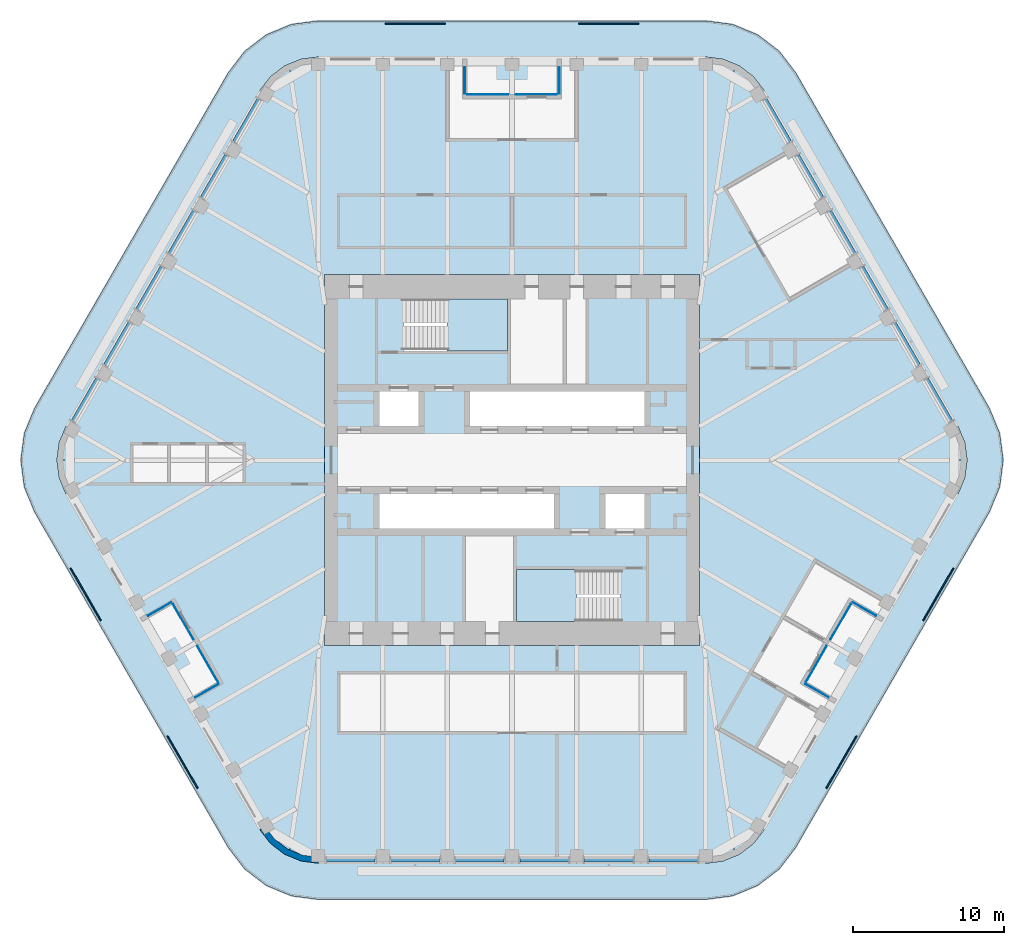
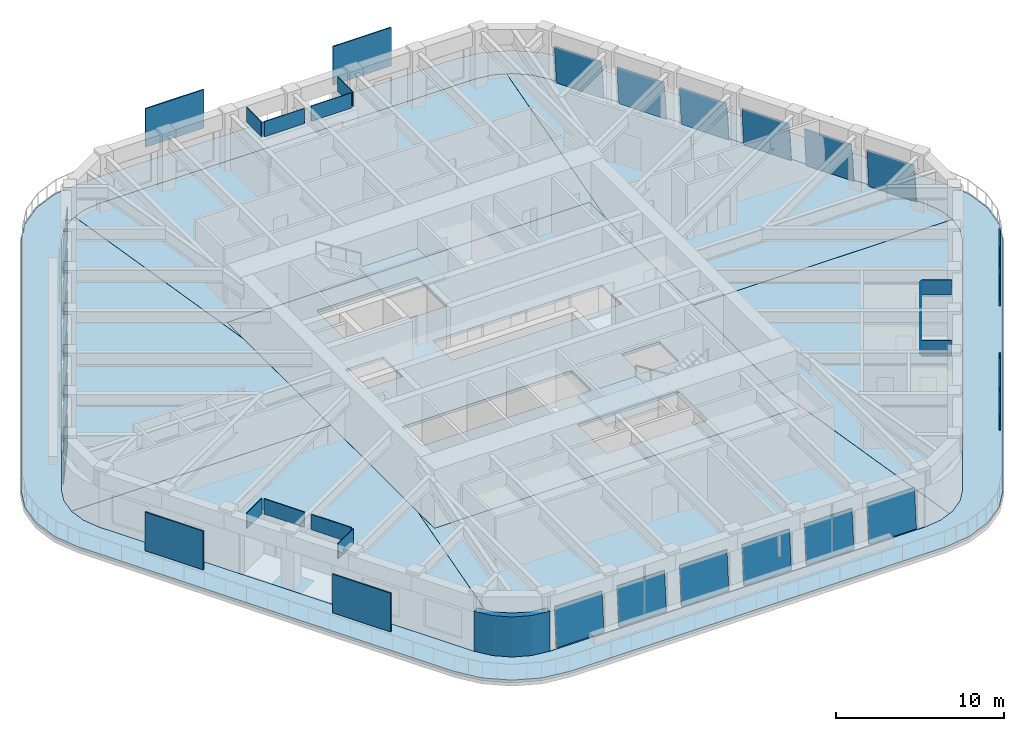
# One storey, part 12 of 19: 36 plates, 10 slabs, 1 wall, 20 elements without a shape of their own.
"""IFC4 building model written with IfcOpenShell, lengths in metres."""

from ifc_helpers import new_model, si_unit, direction, frame, origin, origin_2d, place, context, subcontext, project, spatial, polyline, rectangle, outline, extrude, material, layer, layer_set, type_object, element, aggregate, save


model = new_model("IFC4")

# Units and contexts
model_context = context("Model", 3, precision=1e-05, world=origin(), true_north=direction((0.0, 1.0)))
body_context = subcontext(model_context, "Body", "Model", "MODEL_VIEW")
ifc_project = project(units=[si_unit("LENGTHUNIT", "METRE"), si_unit("AREAUNIT", "SQUARE_METRE"), si_unit("VOLUMEUNIT", "CUBIC_METRE"), si_unit("PLANEANGLEUNIT", "RADIAN"), si_unit("MASSUNIT", "GRAM", prefix="KILO")], contexts=[model_context])

# Site, building, storey
site_placement = place(None, origin())
site = spatial("IfcSite", under=ifc_project, at=site_placement, CompositionType="ELEMENT")
building_placement = place(site_placement, origin())
building = spatial("IfcBuilding", under=site, at=building_placement, Name="Tarfa Lantern Tower", CompositionType="ELEMENT")
storey_placement = place(building_placement, frame((0.0, 0.0, 361.89990234375)))
storey = spatial("IfcBuildingStorey", under=building, at=storey_placement, Name="L82", CompositionType="ELEMENT", Elevation=361.89990234375)

# Slab
ifc_material_1 = material(Name="Concrete C40/50", Category="concrete")
ifc_layer_1 = layer(ifc_material_1, 0.199951171875)
ifc_layer_set_1 = layer_set([ifc_layer_1], Name="BS2 BALCONY SLAB 200")
slab_type_1 = type_object("IfcSlabType", Name="BS2 BALCONY SLAB 200", PredefinedType="FLOOR", material=ifc_layer_set_1)
slab_1_placement = place(storey_placement, frame((0.0, 0.0, -0.199951171875)))
element("IfcSlab", 1, at=slab_1_placement, inside=storey, type_object=slab_type_1, Name="Balcony L82", PredefinedType="FLOOR", context=body_context, shape_type="SweptSolid", body=[
    extrude(outline(polyline([(31.667724609375, 3.449951171875), (18.821533203125, 25.699951171875), (17.72509765625, 27.129150390625), (16.296142578125, 28.2255859375), (14.6318359375, 28.914794921875), (12.845947265625, 29.14990234375), (-12.845947265625, 29.14990234375), (-14.6318359375, 28.914794921875), (-16.296142578125, 28.2255859375), (-17.72509765625, 27.129150390625), (-18.821533203125, 25.699951171875), (-31.667724609375, 3.449951171875), (-32.35693359375, 1.785888671875), (-32.592041015625, 0.0), (-32.35693359375, -1.785888671875), (-31.667724609375, -3.449951171875), (-18.821533203125, -25.699951171875), (-17.72509765625, -27.129150390625), (-16.296142578125, -28.2255859375), (-14.6318359375, -28.914794921875), (-12.845947265625, -29.14990234375), (12.845947265625, -29.14990234375), (14.6318359375, -28.914794921875), (16.296142578125, -28.2255859375), (17.72509765625, -27.129150390625), (18.821533203125, -25.699951171875), (31.667724609375, -3.449951171875), (32.35693359375, -1.785888671875), (32.592041015625, 0.0), (32.35693359375, 1.785888671875), (31.667724609375, 3.449951171875)]), holes=[polyline([(29.589111328125, 2.25), (16.7431640625, 24.5), (16.028076171875, 25.431884765625), (15.095947265625, 26.147216796875), (14.0107421875, 26.5966796875), (12.845947265625, 26.75), (-12.845947265625, 26.75), (-14.0107421875, 26.5966796875), (-15.095947265625, 26.147216796875), (-16.028076171875, 25.431884765625), (-16.7431640625, 24.5), (-29.589111328125, 2.25), (-30.038818359375, 1.164794921875), (-30.192138671875, 0.0), (-30.038818359375, -1.164794921875), (-29.589111328125, -2.25), (-16.7431640625, -24.5), (-16.028076171875, -25.431884765625), (-15.095947265625, -26.147216796875), (-14.0107421875, -26.5966796875), (-12.845947265625, -26.75), (12.845947265625, -26.75), (14.0107421875, -26.5966796875), (15.095947265625, -26.147216796875), (16.028076171875, -25.431884765625), (16.7431640625, -24.5), (29.589111328125, -2.25), (30.038818359375, -1.164794921875), (30.192138671875, 0.0), (30.038818359375, 1.164794921875), (29.589111328125, 2.25)])]), origin(), (0.0, 0.0, 1.0), 0.199951171875),
])

# Curtain wall, plate
ifc_material_2 = material(Name="Aluminium framed curtain wall", Category="aluminium")
curtain_wall_type = type_object("IfcCurtainWallType", Name="CW4 CANTED GLAZING EXECUTIVE ZONE 2900", PredefinedType="USERDEFINED", material=ifc_material_2)
curtain_wall_1_placement = place(storey_placement, origin())
curtain_wall_1 = element("IfcCurtainWall", 2, at=curtain_wall_1_placement, inside=storey, type_object=curtain_wall_type, Name="CW4 NE L82", ObjectType="CURTAIN WALL", PredefinedType="USERDEFINED")
ifc_material_3 = material(Name="Laminated double glazing", Category="glass")
ifc_layer_2 = layer(ifc_material_3, 0.028076171875)
ifc_layer_set_2 = layer_set([ifc_layer_2], Name="CWP1 DOUBLE GLAZED PANEL")
plate_type_1 = type_object("IfcPlateType", Name="CWP1 DOUBLE GLAZED PANEL", PredefinedType="CURTAIN_PANEL", material=ifc_layer_set_2)
plate_1_placement = place(storey_placement, frame((29.2451171875, 2.64599609375, 0.0), z_axis=(0.862826187665, 0.498151134311, 0.085886071422), x_axis=(-0.499998527055, 0.866026254186, -1.605959e-06)))
plate_1 = element("IfcPlate", 3, at=plate_1_placement, type_object=plate_type_1, Name="CW4 panel 1.1", PredefinedType="CURTAIN_PANEL", context=body_context, shape_type="SweptSolid", body=[
    extrude(outline(polyline([(0.0, 0.0), (3.25206764123082, 1.3877787807814457e-17), (3.251970209495447, 2.8457253562325535), (0.00011400045559064538, 2.8457148724621573), (0.0, 0.0)])), origin(), (0.0, 0.0, -1.0), 0.028076171875),
])
aggregate(curtain_wall_1, [plate_1])

curtain_wall_2_placement = place(storey_placement, origin())
curtain_wall_2 = element("IfcCurtainWall", 4, at=curtain_wall_2_placement, inside=storey, type_object=curtain_wall_type, Name="CW4 NE L82", ObjectType="CURTAIN WALL", PredefinedType="USERDEFINED")
plate_2_placement = place(storey_placement, frame((27.10400390625, 6.354248046875, 0.0), z_axis=(0.862837126006, 0.498135858114, 0.085864782339), x_axis=(-0.499982393232, 0.866035568818, 0.0)))
plate_2 = element("IfcPlate", 5, at=plate_2_placement, type_object=plate_type_1, Name="CW4 panel 1.1", PredefinedType="CURTAIN_PANEL", context=body_context, shape_type="SweptSolid", body=[
    extrude(outline(polyline([(0.0, 0.0), (3.252067641799349, 0.0), (3.2521816433919786, 2.845714873111824), (0.00011400159262917042, 2.845714873111824), (0.0, 0.0)])), origin(), (0.0, 0.0, -1.0), 0.028076171875),
])
aggregate(curtain_wall_2, [plate_2])

curtain_wall_3_placement = place(storey_placement, origin())
curtain_wall_3 = element("IfcCurtainWall", 6, at=curtain_wall_3_placement, inside=storey, type_object=curtain_wall_type, Name="CW4 NE L82", ObjectType="CURTAIN WALL", PredefinedType="USERDEFINED")
plate_3_placement = place(storey_placement, frame((24.963134765625, 10.062744140625, 0.0), z_axis=(0.862826187665, 0.498151134311, 0.085886071422), x_axis=(-0.49999876685, 0.866026115741, 1.606063e-06)))
plate_3 = element("IfcPlate", 7, at=plate_3_placement, type_object=plate_type_1, Name="CW4 panel 1.1", PredefinedType="CURTAIN_PANEL", context=body_context, shape_type="SweptSolid", body=[
    extrude(outline(polyline([(0.0, 0.0), (3.251856209056756, 0.0), (3.251979383909803, 2.8457148720798386), (-8.825730411609763e-05, 2.845725356531878), (0.0, 0.0)])), origin(), (0.0, 0.0, -1.0), 0.028076171875),
])
aggregate(curtain_wall_3, [plate_3])

curtain_wall_4_placement = place(storey_placement, origin())
curtain_wall_4 = element("IfcCurtainWall", 8, at=curtain_wall_4_placement, inside=storey, type_object=curtain_wall_type, Name="CW4 NE L82", ObjectType="CURTAIN WALL", PredefinedType="USERDEFINED")
plate_4_placement = place(storey_placement, frame((22.822021484375, 13.77099609375, 0.0), z_axis=(0.862826187665, 0.498151134311, 0.085886071422), x_axis=(-0.499998527055, 0.866026254186, -1.605959e-06)))
plate_4 = element("IfcPlate", 9, at=plate_4_placement, type_object=plate_type_1, Name="CW4 panel 1.1", PredefinedType="CURTAIN_PANEL", context=body_context, shape_type="SweptSolid", body=[
    extrude(outline(polyline([(0.0, 0.0), (3.25206764123082, 1.3877787807814457e-17), (3.251970209495447, 2.8457253562325535), (0.00011400045559064538, 2.8457148724621573), (0.0, 0.0)])), origin(), (0.0, 0.0, -1.0), 0.028076171875),
])
aggregate(curtain_wall_4, [plate_4])

curtain_wall_5_placement = place(storey_placement, origin())
curtain_wall_5 = element("IfcCurtainWall", 10, at=curtain_wall_5_placement, inside=storey, type_object=curtain_wall_type, Name="CW4 NE L82", ObjectType="CURTAIN WALL", PredefinedType="USERDEFINED")
plate_5_placement = place(storey_placement, frame((20.68115234375, 17.479248046875, 0.0), z_axis=(0.862837126006, 0.498135858114, 0.085864782339), x_axis=(-0.499982393232, 0.866035568818, 0.0)))
plate_5 = element("IfcPlate", 11, at=plate_5_placement, type_object=plate_type_1, Name="CW4 panel 1.1", PredefinedType="CURTAIN_PANEL", context=body_context, shape_type="SweptSolid", body=[
    extrude(outline(polyline([(0.0, 0.0), (3.252067641799349, 0.0), (3.2521816433919786, 2.845714873111824), (0.00011400159262917042, 2.845714873111824), (0.0, 0.0)])), origin(), (0.0, 0.0, -1.0), 0.028076171875),
])
aggregate(curtain_wall_5, [plate_5])

curtain_wall_6_placement = place(storey_placement, origin())
curtain_wall_6 = element("IfcCurtainWall", 12, at=curtain_wall_6_placement, inside=storey, type_object=curtain_wall_type, Name="CW4 NE L82", ObjectType="CURTAIN WALL", PredefinedType="USERDEFINED")
plate_6_placement = place(storey_placement, frame((18.5400390625, 21.187744140625, 0.0), z_axis=(0.862826187665, 0.498151134311, 0.085886071422), x_axis=(-0.49999876685, 0.866026115741, 1.606063e-06)))
plate_6 = element("IfcPlate", 13, at=plate_6_placement, type_object=plate_type_1, Name="CW4 panel 1.1", PredefinedType="CURTAIN_PANEL", context=body_context, shape_type="SweptSolid", body=[
    extrude(outline(polyline([(0.0, 0.0), (3.251856209056756, 0.0), (3.251979383909803, 2.8457148720798386), (-8.825730411609763e-05, 2.845725356531878), (0.0, 0.0)])), origin(), (0.0, 0.0, -1.0), 0.028076171875),
])
aggregate(curtain_wall_6, [plate_6])

curtain_wall_7_placement = place(storey_placement, origin())
curtain_wall_7 = element("IfcCurtainWall", 14, at=curtain_wall_7_placement, inside=storey, type_object=curtain_wall_type, Name="CW4 NW L82", ObjectType="CURTAIN WALL", PredefinedType="USERDEFINED")
plate_7_placement = place(storey_placement, frame((-16.9140625, 24.00390625, 0.0), z_axis=(-0.862826187665, 0.498151134311, 0.085886071422), x_axis=(-0.49999876685, -0.866026115741, -1.606063e-06)))
plate_7 = element("IfcPlate", 15, at=plate_7_placement, type_object=plate_type_1, Name="CW4 panel 1.1", PredefinedType="CURTAIN_PANEL", context=body_context, shape_type="SweptSolid", body=[
    extrude(outline(polyline([(0.0, 0.0), (3.251856209056756, 0.0), (3.251944466360872, 2.845725356531878), (-0.00012317485304732105, 2.8457148720798386), (0.0, 0.0)])), origin(), (0.0, 0.0, -1.0), 0.028076171875),
])
aggregate(curtain_wall_7, [plate_7])

curtain_wall_8_placement = place(storey_placement, origin())
curtain_wall_8 = element("IfcCurtainWall", 16, at=curtain_wall_8_placement, inside=storey, type_object=curtain_wall_type, Name="CW4 NW L82", ObjectType="CURTAIN WALL", PredefinedType="USERDEFINED")
plate_8_placement = place(storey_placement, frame((-19.05517578125, 20.295654296875, 0.0), z_axis=(-0.862837126006, 0.498135858114, 0.085864782339), x_axis=(-0.499982393232, -0.866035568818, 0.0)))
plate_8 = element("IfcPlate", 17, at=plate_8_placement, type_object=plate_type_1, Name="CW4 panel 1.1", PredefinedType="CURTAIN_PANEL", context=body_context, shape_type="SweptSolid", body=[
    extrude(outline(polyline([(0.0, 0.0), (3.252067641799349, 0.0), (3.25195364020672, 2.8457148731118234), (-0.00011400159262917042, 2.845714873111824), (0.0, 0.0)])), origin(), (0.0, 0.0, -1.0), 0.028076171875),
])
aggregate(curtain_wall_8, [plate_8])

curtain_wall_9_placement = place(storey_placement, origin())
curtain_wall_9 = element("IfcCurtainWall", 18, at=curtain_wall_9_placement, inside=storey, type_object=curtain_wall_type, Name="CW4 NW L82", ObjectType="CURTAIN WALL", PredefinedType="USERDEFINED")
plate_9_placement = place(storey_placement, frame((-21.196044921875, 16.58740234375, 0.0), z_axis=(-0.862826187665, 0.498151134311, 0.085886071422), x_axis=(-0.499998527055, -0.866026254186, 1.605959e-06)))
plate_9 = element("IfcPlate", 19, at=plate_9_placement, type_object=plate_type_1, Name="CW4 panel 1.1", PredefinedType="CURTAIN_PANEL", context=body_context, shape_type="SweptSolid", body=[
    extrude(outline(polyline([(0.0, 0.0), (3.25206764123082, -1.3877787807814457e-17), (3.251953640775229, 2.8457148724621573), (9.743173537286103e-05, 2.8457253562325535), (0.0, 0.0)])), origin(), (0.0, 0.0, -1.0), 0.028076171875),
])
aggregate(curtain_wall_9, [plate_9])

curtain_wall_10_placement = place(storey_placement, origin())
curtain_wall_10 = element("IfcCurtainWall", 20, at=curtain_wall_10_placement, inside=storey, type_object=curtain_wall_type, Name="CW4 NW L82", ObjectType="CURTAIN WALL", PredefinedType="USERDEFINED")
plate_10_placement = place(storey_placement, frame((-23.337158203125, 12.87890625, 0.0), z_axis=(-0.862826187665, 0.498151134311, 0.085886071422), x_axis=(-0.49999876685, -0.866026115741, -1.606063e-06)))
plate_10 = element("IfcPlate", 21, at=plate_10_placement, type_object=plate_type_1, Name="CW4 panel 1.1", PredefinedType="CURTAIN_PANEL", context=body_context, shape_type="SweptSolid", body=[
    extrude(outline(polyline([(0.0, 0.0), (3.251856209056756, 0.0), (3.251944466360872, 2.845725356531878), (-0.00012317485304732105, 2.8457148720798386), (0.0, 0.0)])), origin(), (0.0, 0.0, -1.0), 0.028076171875),
])
aggregate(curtain_wall_10, [plate_10])

curtain_wall_11_placement = place(storey_placement, origin())
curtain_wall_11 = element("IfcCurtainWall", 22, at=curtain_wall_11_placement, inside=storey, type_object=curtain_wall_type, Name="CW4 NW L82", ObjectType="CURTAIN WALL", PredefinedType="USERDEFINED")
plate_11_placement = place(storey_placement, frame((-25.47802734375, 9.170654296875, 0.0), z_axis=(-0.862837126006, 0.498135858114, 0.085864782339), x_axis=(-0.499982393232, -0.866035568818, 0.0)))
plate_11 = element("IfcPlate", 23, at=plate_11_placement, type_object=plate_type_1, Name="CW4 panel 1.1", PredefinedType="CURTAIN_PANEL", context=body_context, shape_type="SweptSolid", body=[
    extrude(outline(polyline([(0.0, 0.0), (3.252067641799349, 0.0), (3.25195364020672, 2.8457148731118234), (-0.00011400159262917042, 2.845714873111824), (0.0, 0.0)])), origin(), (0.0, 0.0, -1.0), 0.028076171875),
])
aggregate(curtain_wall_11, [plate_11])

curtain_wall_12_placement = place(storey_placement, origin())
curtain_wall_12 = element("IfcCurtainWall", 24, at=curtain_wall_12_placement, inside=storey, type_object=curtain_wall_type, Name="CW4 NW L82", ObjectType="CURTAIN WALL", PredefinedType="USERDEFINED")
plate_12_placement = place(storey_placement, frame((-27.619140625, 5.46240234375, 0.0), z_axis=(-0.862826187665, 0.498151134311, 0.085886071422), x_axis=(-0.499998527055, -0.866026254186, 1.605959e-06)))
plate_12 = element("IfcPlate", 25, at=plate_12_placement, type_object=plate_type_1, Name="CW4 panel 1.1", PredefinedType="CURTAIN_PANEL", context=body_context, shape_type="SweptSolid", body=[
    extrude(outline(polyline([(0.0, 0.0), (3.25206764123082, -1.3877787807814457e-17), (3.251953640775229, 2.8457148724621573), (9.743173537286103e-05, 2.8457253562325535), (0.0, 0.0)])), origin(), (0.0, 0.0, -1.0), 0.028076171875),
])
aggregate(curtain_wall_12, [plate_12])

curtain_wall_13_placement = place(storey_placement, origin())
curtain_wall_13 = element("IfcCurtainWall", 26, at=curtain_wall_13_placement, inside=storey, type_object=curtain_wall_type, Name="CW4 S L82", ObjectType="CURTAIN WALL", PredefinedType="USERDEFINED")
plate_13_placement = place(storey_placement, frame((-12.3310546875, -26.64990234375, 0.0), z_axis=(0.0, -0.996305654944, 0.08587806429), x_axis=(1.0, 0.0, 0.0)))
plate_13 = element("IfcPlate", 27, at=plate_13_placement, type_object=plate_type_1, Name="CW4 panel 1.1", PredefinedType="CURTAIN_PANEL", context=body_context, shape_type="SweptSolid", body=[
    extrude(outline(polyline([(0.0, 0.0), (3.251953125, 0.0), (3.251953125, 2.845718142876306), (0.0, 2.845718142876306), (0.0, 0.0)])), origin(), (0.0, 0.0, -1.0), 0.028076171875),
])
aggregate(curtain_wall_13, [plate_13])

curtain_wall_14_placement = place(storey_placement, origin())
curtain_wall_14 = element("IfcCurtainWall", 28, at=curtain_wall_14_placement, inside=storey, type_object=curtain_wall_type, Name="CW4 S L82", ObjectType="CURTAIN WALL", PredefinedType="USERDEFINED")
plate_14_placement = place(storey_placement, frame((-8.049072265625, -26.64990234375, 0.0), z_axis=(0.0, -0.996305654944, 0.08587806429), x_axis=(1.0, 0.0, 0.0)))
plate_14 = element("IfcPlate", 29, at=plate_14_placement, type_object=plate_type_1, Name="CW4 panel 1.1", PredefinedType="CURTAIN_PANEL", context=body_context, shape_type="SweptSolid", body=[
    extrude(outline(polyline([(0.0, 0.0), (3.251953125, 0.0), (3.251953125, 2.845718142876306), (0.0, 2.845718142876306), (0.0, 0.0)])), origin(), (0.0, 0.0, -1.0), 0.028076171875),
])
aggregate(curtain_wall_14, [plate_14])

curtain_wall_15_placement = place(storey_placement, origin())
curtain_wall_15 = element("IfcCurtainWall", 30, at=curtain_wall_15_placement, inside=storey, type_object=curtain_wall_type, Name="CW4 S L82", ObjectType="CURTAIN WALL", PredefinedType="USERDEFINED")
plate_15_placement = place(storey_placement, frame((-3.76708984375, -26.64990234375, 0.0), z_axis=(0.0, -0.996305654944, 0.08587806429), x_axis=(1.0, 0.0, 0.0)))
plate_15 = element("IfcPlate", 31, at=plate_15_placement, type_object=plate_type_1, Name="CW4 panel 1.1", PredefinedType="CURTAIN_PANEL", context=body_context, shape_type="SweptSolid", body=[
    extrude(outline(polyline([(0.0, 0.0), (3.252197265625, 0.0), (3.252197265625, 2.845718142876306), (0.0, 2.845718142876306), (0.0, 0.0)])), origin(), (0.0, 0.0, -1.0), 0.028076171875),
])
aggregate(curtain_wall_15, [plate_15])

curtain_wall_16_placement = place(storey_placement, origin())
curtain_wall_16 = element("IfcCurtainWall", 32, at=curtain_wall_16_placement, inside=storey, type_object=curtain_wall_type, Name="CW4 S L82", ObjectType="CURTAIN WALL", PredefinedType="USERDEFINED")
plate_16_placement = place(storey_placement, frame((0.514892578125, -26.64990234375, 0.0), z_axis=(0.0, -0.996305654944, 0.08587806429), x_axis=(1.0, 0.0, 0.0)))
plate_16 = element("IfcPlate", 33, at=plate_16_placement, type_object=plate_type_1, Name="CW4 panel 1.1", PredefinedType="CURTAIN_PANEL", context=body_context, shape_type="SweptSolid", body=[
    extrude(outline(polyline([(0.0, 0.0), (3.252197265625, 0.0), (3.252197265625, 2.845718142876306), (0.0, 2.845718142876306), (0.0, 0.0)])), origin(), (0.0, 0.0, -1.0), 0.028076171875),
])
aggregate(curtain_wall_16, [plate_16])

curtain_wall_17_placement = place(storey_placement, origin())
curtain_wall_17 = element("IfcCurtainWall", 34, at=curtain_wall_17_placement, inside=storey, type_object=curtain_wall_type, Name="CW4 S L82", ObjectType="CURTAIN WALL", PredefinedType="USERDEFINED")
plate_17_placement = place(storey_placement, frame((4.797119140625, -26.64990234375, 0.0), z_axis=(0.0, -0.996305654944, 0.08587806429), x_axis=(1.0, 0.0, 0.0)))
plate_17 = element("IfcPlate", 35, at=plate_17_placement, type_object=plate_type_1, Name="CW4 panel 1.1", PredefinedType="CURTAIN_PANEL", context=body_context, shape_type="SweptSolid", body=[
    extrude(outline(polyline([(0.0, 0.0), (3.251953125, 0.0), (3.251953125, 2.845718142876306), (0.0, 2.845718142876306), (0.0, 0.0)])), origin(), (0.0, 0.0, -1.0), 0.028076171875),
])
aggregate(curtain_wall_17, [plate_17])

curtain_wall_18_placement = place(storey_placement, origin())
curtain_wall_18 = element("IfcCurtainWall", 36, at=curtain_wall_18_placement, inside=storey, type_object=curtain_wall_type, Name="CW4 S L82", ObjectType="CURTAIN WALL", PredefinedType="USERDEFINED")
plate_18_placement = place(storey_placement, frame((9.0791015625, -26.64990234375, 0.0), z_axis=(0.0, -0.996305654944, 0.08587806429), x_axis=(1.0, 0.0, 0.0)))
plate_18 = element("IfcPlate", 37, at=plate_18_placement, type_object=plate_type_1, Name="CW4 panel 1.1", PredefinedType="CURTAIN_PANEL", context=body_context, shape_type="SweptSolid", body=[
    extrude(outline(polyline([(0.0, 0.0), (3.251953125, 0.0), (3.251953125, 2.845718142876306), (0.0, 2.845718142876306), (0.0, 0.0)])), origin(), (0.0, 0.0, -1.0), 0.028076171875),
])
aggregate(curtain_wall_18, [plate_18])

# Slabs
ifc_layer_3 = layer(ifc_material_1, 0.199951171875)
ifc_layer_set_3 = layer_set([ifc_layer_3], Name="FS1 FLOOR SLAB 200")
slab_type_2 = type_object("IfcSlabType", Name="FS1 FLOOR SLAB 200", PredefinedType="FLOOR", material=ifc_layer_set_3)
slab_2_placement = place(storey_placement, frame((0.0, 0.0, -0.199951171875)))
element("IfcSlab", 38, at=slab_2_placement, inside=storey, type_object=slab_type_2, Name="Floor slab L82", PredefinedType="FLOOR", context=body_context, shape_type="SweptSolid", body=[
    extrude(outline(polyline([(-12.425048828125, -12.300048828125), (12.425048828125, -12.300048828125), (12.425048828125, 12.300048828125), (-12.425048828125, 12.300048828125), (-12.425048828125, -12.300048828125)]), holes=[polyline([(-8.800048828125, 2.25), (-6.199951171875, 2.25), (-6.199951171875, 4.550048828125), (-8.800048828125, 4.550048828125), (-8.800048828125, 2.25)]), polyline([(-2.800048828125, 2.25), (8.800048828125, 2.25), (8.800048828125, 4.550048828125), (-2.800048828125, 4.550048828125), (-2.800048828125, 2.25)]), polyline([(8.800048828125, -2.25), (6.199951171875, -2.25), (6.199951171875, -4.550048828125), (8.800048828125, -4.550048828125), (8.800048828125, -2.25)]), polyline([(2.800048828125, -2.25), (-8.800048828125, -2.25), (-8.800048828125, -4.550048828125), (2.800048828125, -4.550048828125), (2.800048828125, -2.25)]), polyline([(-7.199951171875, 7.25), (-0.300048828125, 7.25), (-0.300048828125, 10.699951171875), (-7.199951171875, 10.699951171875), (-7.199951171875, 7.25)]), polyline([(7.199951171875, -7.25), (0.300048828125, -7.25), (0.300048828125, -10.699951171875), (7.199951171875, -10.699951171875), (7.199951171875, -7.25)])]), origin(), (0.0, 0.0, 1.0), 0.199951171875),
])
slab_3_placement = place(storey_placement, frame((0.0, 0.0, -0.199951171875)))
element("IfcSlab", 39, at=slab_3_placement, inside=storey, type_object=slab_type_2, Name="Floor slab L82 NE bay", PredefinedType="FLOOR", context=body_context, shape_type="SweptSolid", body=[
    extrude(outline(polyline([(29.58740234375, 2.2490234375), (16.741455078125, 24.498779296875), (16.026611328125, 25.4306640625), (15.094970703125, 26.145263671875), (14.802001953125, 26.2666015625), (12.427001953125, 10.2998046875), (12.427001953125, 0.001953125), (30.189697265625, 0.001953125), (30.036865234375, 1.1640625), (29.58740234375, 2.2490234375)])), origin(), (0.0, 0.0, 1.0), 0.199951171875),
])
slab_4_placement = place(storey_placement, frame((0.0, 0.0, -0.199951171875)))
element("IfcSlab", 40, at=slab_4_placement, inside=storey, type_object=slab_type_2, Name="Floor slab L82 N bay", PredefinedType="FLOOR", context=body_context, shape_type="SweptSolid", body=[
    extrude(outline(polyline([(-12.427001953125, 10.3271484375), (-12.427001953125, 12.302001953125), (12.427001953125, 12.302001953125), (12.427001953125, 10.3271484375), (14.79833984375, 26.268310546875), (14.01025390625, 26.5947265625), (12.845947265625, 26.748046875), (-12.845947265625, 26.748046875), (-14.01025390625, 26.5947265625), (-14.79833984375, 26.268310546875), (-12.427001953125, 10.3271484375)])), origin(), (0.0, 0.0, 1.0), 0.199951171875),
])
slab_5_placement = place(storey_placement, frame((0.0, 0.0, -0.199951171875)))
element("IfcSlab", 41, at=slab_5_placement, inside=storey, type_object=slab_type_2, Name="Floor slab L82 NW bay", PredefinedType="FLOOR", context=body_context, shape_type="SweptSolid", body=[
    extrude(outline(polyline([(-12.427001953125, 0.001953125), (-12.427001953125, 10.2998046875), (-14.802001953125, 26.2666015625), (-15.094970703125, 26.145263671875), (-16.026611328125, 25.4306640625), (-16.741455078125, 24.498779296875), (-29.58740234375, 2.2490234375), (-30.036865234375, 1.1640625), (-30.189697265625, 0.001953125), (-12.427001953125, 0.001953125)])), origin(), (0.0, 0.0, 1.0), 0.199951171875),
])
slab_6_placement = place(storey_placement, frame((0.0, 0.0, -0.199951171875)))
element("IfcSlab", 42, at=slab_6_placement, inside=storey, type_object=slab_type_2, Name="Floor slab L82 SW bay", PredefinedType="FLOOR", context=body_context, shape_type="SweptSolid", body=[
    extrude(outline(polyline([(-12.427001953125, -10.2998046875), (-12.427001953125, -0.001953125), (-30.189697265625, -0.001953125), (-30.036865234375, -1.1640625), (-29.58740234375, -2.2490234375), (-16.741455078125, -24.498779296875), (-16.026611328125, -25.4306640625), (-15.094970703125, -26.145263671875), (-14.802001953125, -26.2666015625), (-12.427001953125, -10.2998046875)])), origin(), (0.0, 0.0, 1.0), 0.199951171875),
])
slab_7_placement = place(storey_placement, frame((0.0, 0.0, -0.199951171875)))
element("IfcSlab", 43, at=slab_7_placement, inside=storey, type_object=slab_type_2, Name="Floor slab L82 S bay", PredefinedType="FLOOR", context=body_context, shape_type="SweptSolid", body=[
    extrude(outline(polyline([(12.427001953125, -10.3271484375), (12.427001953125, -12.302001953125), (-12.427001953125, -12.302001953125), (-12.427001953125, -10.3271484375), (-14.79833984375, -26.268310546875), (-14.01025390625, -26.5947265625), (-12.845947265625, -26.748046875), (12.845947265625, -26.748046875), (14.01025390625, -26.5947265625), (14.79833984375, -26.268310546875), (12.427001953125, -10.3271484375)])), origin(), (0.0, 0.0, 1.0), 0.199951171875),
])
slab_8_placement = place(storey_placement, frame((0.0, 0.0, -0.199951171875)))
element("IfcSlab", 44, at=slab_8_placement, inside=storey, type_object=slab_type_2, Name="Floor slab L82 SE bay", PredefinedType="FLOOR", context=body_context, shape_type="SweptSolid", body=[
    extrude(outline(polyline([(12.427001953125, -0.001953125), (12.427001953125, -10.2998046875), (14.802001953125, -26.2666015625), (15.094970703125, -26.145263671875), (16.026611328125, -25.4306640625), (16.741455078125, -24.498779296875), (29.58740234375, -2.2490234375), (30.036865234375, -1.1640625), (30.189697265625, -0.001953125), (12.427001953125, -0.001953125)])), origin(), (0.0, 0.0, 1.0), 0.199951171875),
])

# Plates
ifc_material_4 = material(Name="Aluminium fascia panel", Category="aluminium")
ifc_layer_4 = layer(ifc_material_4, 0.050048828125)
ifc_layer_set_4 = layer_set([ifc_layer_4], Name="LF1 LOGGIA HEAD FASCIA 50")
plate_type_2 = type_object("IfcPlateType", Name="LF1 LOGGIA HEAD FASCIA 50", PredefinedType="USERDEFINED", material=ifc_layer_set_4)
for number, where, z_axis, x_axis, name in (
    (45, (1.615966796875, 24.25, 2.900146484375), (0.0, 0.0, 1.0), (-1.0, 0.0, 0.0), "Terrace head fascia N"),
    (46, (-1.615966796875, 24.25, 2.900146484375), (0.0, 0.0, 1.0), (-1.0, 0.0, 0.0), "Terrace head fascia N"),
):
    element("IfcPlate", number, at=place(storey_placement, frame(where, z_axis=z_axis, x_axis=x_axis)), inside=storey, type_object=plate_type_2, Name=name, ObjectType="FASCIA", PredefinedType="USERDEFINED", context=body_context, shape_type="SweptSolid", body=[
        extrude(rectangle(XDim=2.73193359375, YDim=0.050048828125, at=origin_2d()), origin(), (0.0, 0.0, 1.0), 1.10009765625),
    ])
for number, where, z_axis, x_axis, name in (
    (47, (3.132080078125, 25.18505859375, 2.900146484375), (0.0, 0.0, 1.0), (0.0, -1.0, 0.0), "Terrace head fascia N"),
    (48, (-3.132080078125, 25.18505859375, 2.900146484375), (0.0, 0.0, 1.0), (0.0, -1.0, 0.0), "Terrace head fascia N"),
):
    element("IfcPlate", number, at=place(storey_placement, frame(where, z_axis=z_axis, x_axis=x_axis)), inside=storey, type_object=plate_type_2, Name=name, ObjectType="FASCIA", PredefinedType="USERDEFINED", context=body_context, shape_type="SweptSolid", body=[
        extrude(rectangle(XDim=1.77001953125, YDim=0.050048828125, at=origin_2d()), origin(), (0.0, 0.0, 1.0), 1.10009765625),
    ])
for number, where, z_axis, x_axis, name in (
    (49, (-21.80908203125, -10.7255859375, 2.900146484375), (0.0, 0.0, 1.0), (0.5, -0.866025403784, 0.0), "Terrace head fascia SW"),
    (50, (-20.193115234375, -13.5244140625, 2.900146484375), (0.0, 0.0, 1.0), (0.5, -0.866025403784, 0.0), "Terrace head fascia SW"),
):
    element("IfcPlate", number, at=place(storey_placement, frame(where, z_axis=z_axis, x_axis=x_axis)), inside=storey, type_object=plate_type_2, Name=name, ObjectType="FASCIA", PredefinedType="USERDEFINED", context=body_context, shape_type="SweptSolid", body=[
        extrude(rectangle(XDim=2.73193359375, YDim=0.050048828125, at=origin_2d()), origin(), (0.0, 0.0, 1.0), 1.10009765625),
    ])
for number, where, z_axis, x_axis, name in (
    (51, (-23.376953125, -9.880126953125, 2.900146484375), (0.0, 0.0, 1.0), (0.866025403784, 0.5, 0.0), "Terrace head fascia SW"),
    (52, (-20.244873046875, -15.304931640625, 2.900146484375), (0.0, 0.0, 1.0), (0.866025403784, 0.5, 0.0), "Terrace head fascia SW"),
):
    element("IfcPlate", number, at=place(storey_placement, frame(where, z_axis=z_axis, x_axis=x_axis)), inside=storey, type_object=plate_type_2, Name=name, ObjectType="FASCIA", PredefinedType="USERDEFINED", context=body_context, shape_type="SweptSolid", body=[
        extrude(rectangle(XDim=1.77001953125, YDim=0.050048828125, at=origin_2d()), origin(), (0.0, 0.0, 1.0), 1.10009765625),
    ])
for number, where, z_axis, x_axis, name in (
    (53, (20.193115234375, -13.5244140625, 2.900146484375), (0.0, 0.0, 1.0), (0.5, 0.866025403784, 0.0), "Terrace head fascia SE"),
    (54, (21.80908203125, -10.7255859375, 2.900146484375), (0.0, 0.0, 1.0), (0.5, 0.866025403784, 0.0), "Terrace head fascia SE"),
):
    element("IfcPlate", number, at=place(storey_placement, frame(where, z_axis=z_axis, x_axis=x_axis)), inside=storey, type_object=plate_type_2, Name=name, ObjectType="FASCIA", PredefinedType="USERDEFINED", context=body_context, shape_type="SweptSolid", body=[
        extrude(rectangle(XDim=2.73193359375, YDim=0.050048828125, at=origin_2d()), origin(), (0.0, 0.0, 1.0), 1.10009765625),
    ])
for number, where, z_axis, x_axis, name in (
    (55, (20.244873046875, -15.304931640625, 2.900146484375), (0.0, 0.0, 1.0), (-0.866025403784, 0.5, 0.0), "Terrace head fascia SE"),
    (56, (23.376953125, -9.880126953125, 2.900146484375), (0.0, 0.0, 1.0), (-0.866025403784, 0.5, 0.0), "Terrace head fascia SE"),
):
    element("IfcPlate", number, at=place(storey_placement, frame(where, z_axis=z_axis, x_axis=x_axis)), inside=storey, type_object=plate_type_2, Name=name, ObjectType="FASCIA", PredefinedType="USERDEFINED", context=body_context, shape_type="SweptSolid", body=[
        extrude(rectangle(XDim=1.77001953125, YDim=0.050048828125, at=origin_2d()), origin(), (0.0, 0.0, 1.0), 1.10009765625),
    ])
ifc_material_5 = material(Name="Perforated limestone screen", Category="masonry")
ifc_layer_5 = layer(ifc_material_5, 0.080078125)
ifc_layer_set_5 = layer_set([ifc_layer_5], Name="SC1 STONE SCREEN 80")
plate_type_3 = type_object("IfcPlateType", Name="SC1 STONE SCREEN 80", PredefinedType="USERDEFINED", material=ifc_layer_set_5)
for number, where, z_axis, x_axis, name in (
    (57, (6.423095703125, 28.949951171875, 1.2001953125), (0.0, 0.0, 1.0), (-1.0, 0.0, 0.0), "Stone screen N 1"),
    (58, (-6.423095703125, 28.949951171875, 1.2001953125), (0.0, 0.0, 1.0), (-1.0, 0.0, 0.0), "Stone screen N 2"),
    (59, (-28.282958984375, -8.91259765625, 1.2001953125), (0.0, 0.0, 1.0), (0.5, -0.866025403784, 0.0), "Stone screen SW 1"),
    (60, (-21.85986328125, -20.03759765625, 1.2001953125), (0.0, 0.0, 1.0), (0.5, -0.866025403784, 0.0), "Stone screen SW 2"),
    (61, (21.85986328125, -20.03759765625, 1.2001953125), (0.0, 0.0, 1.0), (0.5, 0.866025403784, 0.0), "Stone screen SE 1"),
    (62, (28.282958984375, -8.91259765625, 1.2001953125), (0.0, 0.0, 1.0), (0.5, 0.866025403784, 0.0), "Stone screen SE 2"),
):
    element("IfcPlate", number, at=place(storey_placement, frame(where, z_axis=z_axis, x_axis=x_axis)), inside=storey, type_object=plate_type_3, Name=name, ObjectType="SCREEN", PredefinedType="USERDEFINED", context=body_context, shape_type="SweptSolid", body=[
        extrude(rectangle(XDim=4.0, YDim=0.080078125, at=origin_2d()), origin(), (0.0, 0.0, 1.0), 2.800048828125),
    ])

# Stair, slab
stair_type = type_object("IfcStairType", Name="ST-T10 HALF-TURN STAIR 4200 RISE", PredefinedType="HALF_TURN_STAIR", material=ifc_material_1)
stair_1_placement = place(storey_placement, origin())
stair_1 = element("IfcStair", 63, at=stair_1_placement, inside=storey, type_object=stair_type, Name="Stair ST1", PredefinedType="HALF_TURN_STAIR")
ifc_layer_6 = layer(ifc_material_1, 0.199951171875)
ifc_layer_set_6 = layer_set([ifc_layer_6], Name="SL1 STAIR LANDING 200")
slab_type_3 = type_object("IfcSlabType", Name="SL1 STAIR LANDING 200", PredefinedType="LANDING", material=ifc_layer_set_6)
slab_9_placement = place(storey_placement, frame((0.0, 0.0, 1.900146484375)))
slab_9 = element("IfcSlab", 64, at=slab_9_placement, type_object=slab_type_3, Name="ST1 landing 1", PredefinedType="LANDING", context=body_context, shape_type="SweptSolid", body=[
    extrude(outline(polyline([(-4.320068359375, 7.25), (-0.300048828125, 7.25), (-0.300048828125, 10.699951171875), (-4.320068359375, 10.699951171875), (-4.320068359375, 7.25)])), origin(), (0.0, 0.0, 1.0), 0.199951171875),
])
aggregate(stair_1, [slab_9])

stair_2_placement = place(storey_placement, origin())
stair_2 = element("IfcStair", 65, at=stair_2_placement, inside=storey, type_object=stair_type, Name="Stair ST2", PredefinedType="HALF_TURN_STAIR")
slab_10_placement = place(storey_placement, frame((0.0, 0.0, 1.900146484375)))
slab_10 = element("IfcSlab", 66, at=slab_10_placement, type_object=slab_type_3, Name="ST2 landing 1", PredefinedType="LANDING", context=body_context, shape_type="SweptSolid", body=[
    extrude(outline(polyline([(4.320068359375, -7.25), (0.300048828125, -7.25), (0.300048828125, -10.699951171875), (4.320068359375, -10.699951171875), (4.320068359375, -7.25)])), origin(), (0.0, 0.0, 1.0), 0.199951171875),
])
aggregate(stair_2, [slab_10])

# Wall
ifc_material_6 = material(Name="Limestone cladding on blockwork", Category="masonry")
ifc_layer_7 = layer(ifc_material_6, 0.39990234375)
ifc_layer_set_7 = layer_set([ifc_layer_7], Name="EW2 CURVED STONE CORNER 400")
wall_type = type_object("IfcWallType", Name="EW2 CURVED STONE CORNER 400", PredefinedType="SOLIDWALL", material=ifc_layer_set_7)
wall_placement = place(storey_placement, origin())
element("IfcWall", 67, at=wall_placement, inside=storey, type_object=wall_type, Name="Stone corner SW-S", PredefinedType="SOLIDWALL", context=body_context, shape_type="SweptSolid", body=[
    extrude(outline(polyline([(-16.7431640625, -24.5), (-16.028076171875, -25.431884765625), (-15.095947265625, -26.147216796875), (-14.0107421875, -26.5966796875), (-12.845947265625, -26.75), (-12.845947265625, -26.35009765625), (-13.9072265625, -26.210205078125), (-14.89599609375, -25.80078125), (-15.7451171875, -25.149169921875), (-16.396728515625, -24.300048828125), (-16.7431640625, -24.5)])), origin(), (0.0, 0.0, 1.0), 2.900146484375),
])

save(model, "model.ifc")
